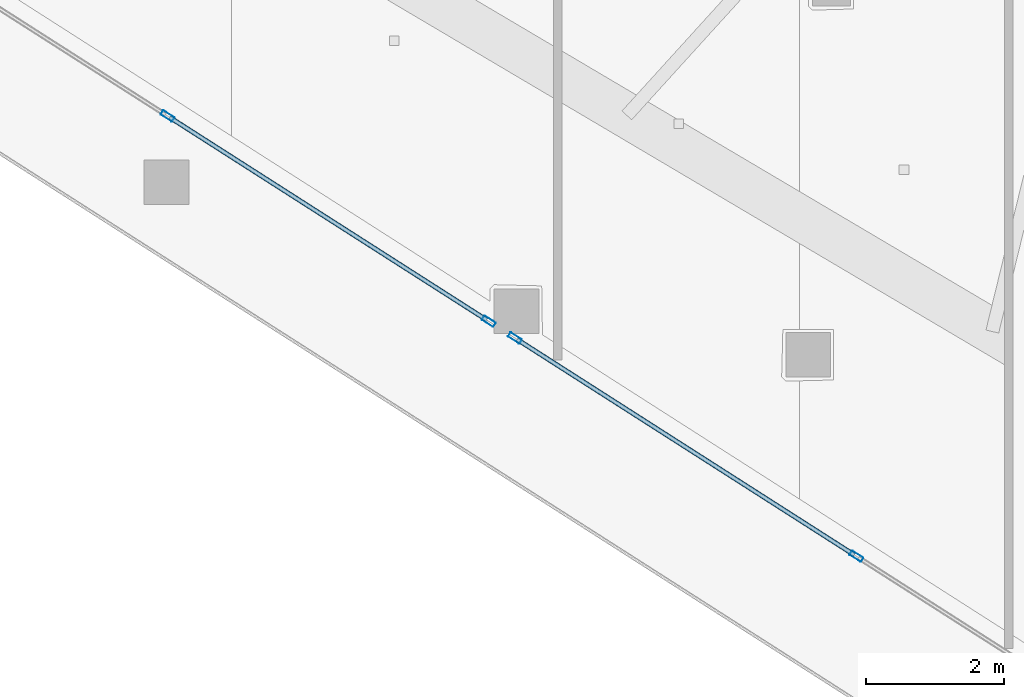
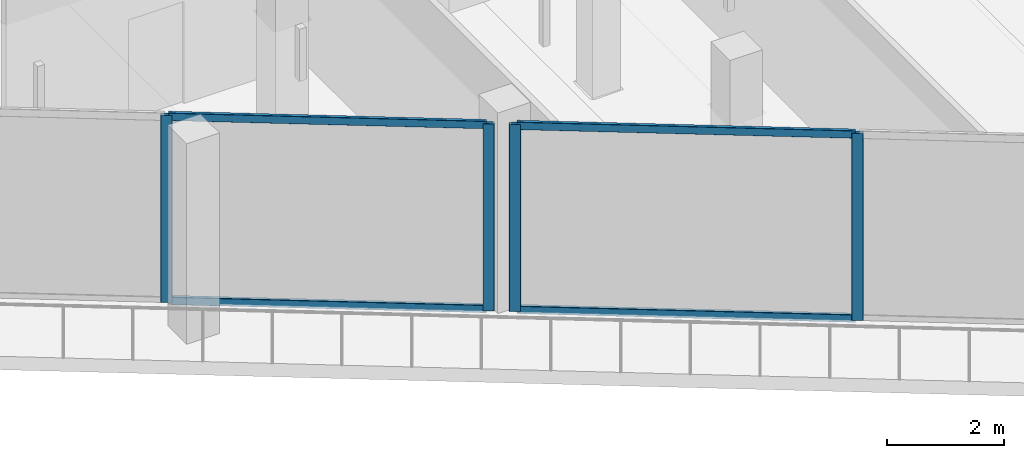
# One storey, part 2 of 47: 8 members, 2 elements without a shape of their own.
"""IFC4 building model written with IfcOpenShell, lengths in metres."""

import ifcopenshell
import ifcopenshell.guid

model = None  # the IFC model being written
_history = None  # IfcOwnerHistory: only IFC2X3 demands one
_inside = {}  # id of a spatial element -> (the spatial element, [elements in it])
_under = {}  # id of a project, library or spatial element -> (it, [spatial elements below it])
_declared = {}  # id of a project -> (the project, [libraries it declares])
_typed = {}  # id of a type object -> (the type object, [elements of that type])
_made_of = {}  # id of a material, layer set ... -> (it, [elements and type objects made of it])


def new_model(schema):
    """Start an empty IFC model of exactly this schema.

    Asked for "IFC4X3", IfcOpenShell would pick the latest addendum, in which some entities
    have other attributes; the version numbers below select the first issue.
    IFC2X3 requires an IfcOwnerHistory on every rooted entity: one is made here for all.
    """
    global model, _history
    if schema == "IFC4X3":
        model = ifcopenshell.file(schema_version=(4, 3, 0, 0))
    else:
        model = ifcopenshell.file(schema=schema)
    _inside.clear()
    _under.clear()
    _declared.clear()
    _typed.clear()
    _made_of.clear()
    _history = None
    if model.schema == "IFC2X3":
        org = make("IfcOrganization", Name="unknown")
        user = make(
            "IfcPersonAndOrganization",
            ThePerson=make("IfcPerson", FamilyName="unknown"),
            TheOrganization=org,
        )
        app = make(
            "IfcApplication",
            ApplicationDeveloper=org,
            Version="unknown",
            ApplicationFullName="unknown",
            ApplicationIdentifier="unknown",
        )
        _history = make(
            "IfcOwnerHistory",
            OwningUser=user,
            OwningApplication=app,
            ChangeAction="ADDED",
            CreationDate=0,
        )
    return model


def make(cls, **values):
    """One entity of the class cls with the attributes given. An attribute that is None is left unset."""
    return model.create_entity(
        cls, **{name: value for name, value in values.items() if value is not None}
    )


def rooted(cls, **values):
    """An entity with a GlobalId (a new one), such as an element, a storey or a relation."""
    return make(cls, GlobalId=ifcopenshell.guid.new(), OwnerHistory=_history, **values)


def si_unit(unit_type, name, prefix=None):
    """IfcSIUnit, for example si_unit("LENGTHUNIT", "METRE", prefix="MILLI")."""
    return make("IfcSIUnit", UnitType=unit_type, Prefix=prefix, Name=name)


def assignment(units):
    """IfcUnitAssignment: the units of a project."""
    return None if units is None else make("IfcUnitAssignment", Units=units)


def point(xyz):
    """IfcCartesianPoint."""
    return None if xyz is None else make("IfcCartesianPoint", Coordinates=xyz)


def direction(xyz):
    """IfcDirection."""
    return None if xyz is None else make("IfcDirection", DirectionRatios=xyz)


def frame(location, z_axis=None, x_axis=None):
    """IfcAxis2Placement3D, a coordinate frame: its origin and axes. An axis left out is left unset."""
    return make(
        "IfcAxis2Placement3D",
        Location=point(location),
        Axis=direction(z_axis),
        RefDirection=direction(x_axis),
    )


def frame_2d(location, x_axis=None):
    """IfcAxis2Placement2D, a coordinate frame in the plane: its origin and x axis."""
    return make(
        "IfcAxis2Placement2D", Location=point(location), RefDirection=direction(x_axis)
    )


def origin():
    """The frame at (0, 0, 0) with its axes left unset."""
    return frame((0.0, 0.0, 0.0))


def origin_2d():
    """The frame at (0, 0) in the plane with its x axis left unset."""
    return frame_2d((0.0, 0.0))


def place(relative_to, where):
    """IfcLocalPlacement: puts the frame where relative to a parent placement (None: the world)."""
    return make(
        "IfcLocalPlacement", PlacementRelTo=relative_to, RelativePlacement=where
    )


def context(
    kind, dimensions, precision=None, world=None, true_north=None, identifier=None
):
    """IfcGeometricRepresentationContext, for example the 3D "Model" context."""
    return make(
        "IfcGeometricRepresentationContext",
        ContextIdentifier=identifier,
        ContextType=kind,
        CoordinateSpaceDimension=dimensions,
        Precision=precision,
        WorldCoordinateSystem=world,
        TrueNorth=true_north,
    )


def subcontext(parent, identifier, kind, view, scale=None):
    """IfcGeometricRepresentationSubContext, for example "Body" below "Model"."""
    return make(
        "IfcGeometricRepresentationSubContext",
        ContextIdentifier=identifier,
        ContextType=kind,
        ParentContext=parent,
        TargetScale=scale,
        TargetView=view,
    )


def project(units=None, contexts=None):
    """IfcProject with its units and contexts."""
    return rooted(
        "IfcProject",
        Name="project",
        RepresentationContexts=contexts,
        UnitsInContext=assignment(units),
    )


def spatial(cls, under=None, at=None, **own):
    """A site, building, storey or space (cls), placed at a placement, below another one or the project."""
    s = rooted(cls, ObjectPlacement=at, **own)
    if under is not None:
        _under.setdefault(under.id(), (under, []))[1].append(s)
    return s


def profile(cls, at=None, kind="AREA", **sizes):
    """A parametric profile (cls). Its sizes go by their IFC names, for example OverallWidth=200.0."""
    return make(cls, ProfileType=kind, Position=at, **sizes)


def hollow_rectangle(**sizes):
    """IfcRectangleHollowProfileDef."""
    return profile("IfcRectangleHollowProfileDef", **sizes)


def extrude(swept, where, along, depth):
    """IfcExtrudedAreaSolid: the profile swept, set in the frame where, extruded along a direction by depth."""
    return make(
        "IfcExtrudedAreaSolid",
        SweptArea=swept,
        Position=where,
        ExtrudedDirection=direction(along),
        Depth=depth,
    )


def shape(context_of_items, identifier, shape_type, items):
    """IfcShapeRepresentation: the items that make up one representation, for example the "Body"."""
    return make(
        "IfcShapeRepresentation",
        ContextOfItems=context_of_items,
        RepresentationIdentifier=identifier,
        RepresentationType=shape_type,
        Items=items,
    )


def material(Name=None, Category=None):
    """IfcMaterial."""
    return make("IfcMaterial", Name=Name, Category=Category)


def layer(
    of_material, thickness, ventilated=None, Name=None, Category=None, Priority=None
):
    """IfcMaterialLayer: one layer of a wall or slab, of a material (None: an air gap)."""
    return make(
        "IfcMaterialLayer",
        Material=of_material,
        LayerThickness=thickness,
        IsVentilated=ventilated,
        Name=Name,
        Category=Category,
        Priority=Priority,
    )


def layer_set(layers, Name=None):
    """IfcMaterialLayerSet."""
    return make("IfcMaterialLayerSet", MaterialLayers=layers, LayerSetName=Name)


def material_profile(
    of_material, cross_section, Name=None, Category=None, Priority=None
):
    """IfcMaterialProfile: a cross section and its material."""
    return make(
        "IfcMaterialProfile",
        Name=Name,
        Material=of_material,
        Profile=cross_section,
        Priority=Priority,
        Category=Category,
    )


def profile_set(profiles, Name=None, composite=None):
    """IfcMaterialProfileSet."""
    return make(
        "IfcMaterialProfileSet",
        Name=Name,
        MaterialProfiles=profiles,
        CompositeProfile=composite,
    )


def made_of(thing, what):
    """Note that an element or type object is made of a material, layer set ...; save() writes the relation."""
    if what is not None:
        _made_of.setdefault(what.id(), (what, []))[1].append(thing)
    return thing


def type_object(cls, material=None, **own):
    """A type object (cls), such as IfcWallType, which elements share."""
    return made_of(rooted(cls, **own), material)


def element(
    cls,
    number,
    at=None,
    inside=None,
    cuts=None,
    type_object=None,
    material=None,
    context=None,
    identifier="Body",
    shape_type=None,
    held_by="IfcProductDefinitionShape",
    body=None,
    shapes=None,
    **own,
):
    """One element of the class cls, such as IfcWall. Its Tag is "e" and its number.

    at: its placement. inside: the storey or other place that contains it. cuts: it is an
    opening in that element (IfcRelVoidsElement). A single representation is given by context,
    identifier, shape_type and body (its items); several are given by shapes. held_by: the class
    of the entity that holds the representations. save() writes the other relations.
    """
    e = rooted(cls, Tag="e%d" % number, ObjectPlacement=at, **own)
    if body is not None:
        shapes = [shape(context, identifier, shape_type, body)]
    if shapes is not None:
        e.Representation = make(held_by, Representations=shapes)
    if inside is not None:
        _inside.setdefault(inside.id(), (inside, []))[1].append(e)
    if cuts is not None:
        rooted(
            "IfcRelVoidsElement", RelatingBuildingElement=cuts, RelatedOpeningElement=e
        )
    if type_object is not None:
        _typed.setdefault(type_object.id(), (type_object, []))[1].append(e)
    return made_of(e, material)


def aggregate(whole, parts):
    """IfcRelAggregates: a whole, such as a stair, and the parts it consists of."""
    return rooted("IfcRelAggregates", RelatingObject=whole, RelatedObjects=parts)


def save(model, path):
    """Write the relations noted so far, then the file.

    IfcRelAggregates (storeys below a building ...), IfcRelContainedInSpatialStructure (elements
    in a storey), IfcRelDefinesByType, IfcRelAssociatesMaterial and IfcRelDeclares: one each for
    every whole, place, type object, material and project.
    """
    for whole, parts in _under.values():
        aggregate(whole, parts)
    for where, things in _inside.values():
        rooted(
            "IfcRelContainedInSpatialStructure",
            RelatedElements=things,
            RelatingStructure=where,
        )
    for kind, things in _typed.values():
        rooted("IfcRelDefinesByType", RelatedObjects=things, RelatingType=kind)
    for what, things in _made_of.values():
        rooted("IfcRelAssociatesMaterial", RelatedObjects=things, RelatingMaterial=what)
    for by, libraries in _declared.values():
        rooted("IfcRelDeclares", RelatingContext=by, RelatedDefinitions=libraries)
    model.write(path)


model = new_model("IFC4")

# Units and contexts
model_context = context("Model", 3, precision=1e-05, world=origin(), true_north=direction((0.0, 1.0)))
body_context = subcontext(model_context, "Body", "Model", "MODEL_VIEW")
ifc_project = project(units=[si_unit("LENGTHUNIT", "METRE"), si_unit("AREAUNIT", "SQUARE_METRE"), si_unit("VOLUMEUNIT", "CUBIC_METRE"), si_unit("PLANEANGLEUNIT", "RADIAN"), si_unit("MASSUNIT", "GRAM", prefix="KILO")], contexts=[model_context])

# Site, building, storey
site_placement = place(None, origin())
site = spatial("IfcSite", under=ifc_project, at=site_placement, CompositionType="ELEMENT")
building_placement = place(site_placement, origin())
building = spatial("IfcBuilding", under=site, at=building_placement, Name="Qorvath Tower", CompositionType="ELEMENT")
storey_placement = place(building_placement, frame((0.0, 0.0, 82.800048828125)))
storey = spatial("IfcBuildingStorey", under=building, at=storey_placement, Name="L18", CompositionType="ELEMENT", Elevation=82.800048828125)

# Curtain wall, members
ifc_material_1 = material(Name="Anodised aluminium and triple low-E glass", Category="aluminium")
ifc_layer = layer(ifc_material_1, 0.179931640625)
ifc_layer_set = layer_set([ifc_layer], Name="CW-SYS-5")
curtain_wall_type = type_object("IfcCurtainWallType", Name="CW-SYS-5", PredefinedType="NOTDEFINED", material=ifc_layer_set)
curtain_wall_1_placement = place(storey_placement, origin())
curtain_wall_1 = element("IfcCurtainWall", 1, at=curtain_wall_1_placement, inside=storey, type_object=curtain_wall_type, Name="Curtain Wall CW-5 CW-T-L18-6.1", PredefinedType="NOTDEFINED")
ifc_material_2 = material(Name="Anodised aluminium 6063-T6", Category="aluminium")
ifc_material_profile_1 = material_profile(ifc_material_2, hollow_rectangle(XDim=0.074951171875, YDim=0.199951171875, WallThickness=0.00390625, InnerFilletRadius=0.00390625, OuterFilletRadius=0.008056640625, at=origin_2d()), Name="CWM 200x75")
ifc_profile_set_1 = profile_set([ifc_material_profile_1], Name="Anodised aluminium 6063-T6")
member_type_1 = type_object("IfcMemberType", Name="CWM-200", PredefinedType="MULLION", material=ifc_profile_set_1)
member_1_placement = place(storey_placement, frame((-40.316162109375, -15.99560546875, 0.0), z_axis=(0.0, 0.0, 1.0), x_axis=(0.538527563, 0.842607894509, 0.0)))
member_1 = element("IfcMember", 2, at=member_1_placement, type_object=member_type_1, Name="CW-5 mullion 5", PredefinedType="MULLION", context=body_context, shape_type="SweptSolid", body=[
    extrude(hollow_rectangle(XDim=0.074951171875, YDim=0.199951171875, WallThickness=0.00390625, InnerFilletRadius=0.00390625, OuterFilletRadius=0.008056640625, at=origin_2d()), origin(), (0.0, 0.0, 1.0), 3.919921875),
])
member_2_placement = place(storey_placement, frame((-35.653076171875, -18.975830078125, 0.0), z_axis=(0.0, 0.0, 1.0), x_axis=(0.538527563, 0.842607894509, 0.0)))
member_2 = element("IfcMember", 3, at=member_2_placement, type_object=member_type_1, Name="CW-5 mullion 6", PredefinedType="MULLION", context=body_context, shape_type="SweptSolid", body=[
    extrude(hollow_rectangle(XDim=0.074951171875, YDim=0.199951171875, WallThickness=0.00390625, InnerFilletRadius=0.00390625, OuterFilletRadius=0.008056640625, at=origin_2d()), origin(), (0.0, 0.0, 1.0), 3.919921875),
])

curtain_wall_2_placement = place(storey_placement, origin())
curtain_wall_2 = element("IfcCurtainWall", 4, at=curtain_wall_2_placement, inside=storey, type_object=curtain_wall_type, Name="Curtain Wall CW-5 CW-T-L18-6.2", PredefinedType="NOTDEFINED")
member_3_placement = place(storey_placement, frame((-35.2724609375, -19.219482421875, 0.0), z_axis=(0.0, 0.0, 1.0), x_axis=(0.538533449676, 0.842604132188, 0.0)))
member_3 = element("IfcMember", 5, at=member_3_placement, type_object=member_type_1, Name="CW-5 mullion 1", PredefinedType="MULLION", context=body_context, shape_type="SweptSolid", body=[
    extrude(hollow_rectangle(XDim=0.074951171875, YDim=0.199951171875, WallThickness=0.00390625, InnerFilletRadius=0.00390625, OuterFilletRadius=0.008056640625, at=origin_2d()), origin(), (0.0, 0.0, 1.0), 3.919921875),
])
member_4_placement = place(storey_placement, frame((-30.315185546875, -22.3876953125, 0.0), z_axis=(0.0, 0.0, 1.0), x_axis=(0.538533449676, 0.842604132188, 0.0)))
member_4 = element("IfcMember", 6, at=member_4_placement, type_object=member_type_1, Name="CW-5 mullion 2", PredefinedType="MULLION", context=body_context, shape_type="SweptSolid", body=[
    extrude(hollow_rectangle(XDim=0.074951171875, YDim=0.199951171875, WallThickness=0.00390625, InnerFilletRadius=0.00390625, OuterFilletRadius=0.008056640625, at=origin_2d()), origin(), (0.0, 0.0, 1.0), 3.919921875),
])

# Member
ifc_material_3 = material(Name="Anodised aluminium 6063-T6", Category="aluminium")
ifc_material_profile_2 = material_profile(ifc_material_3, hollow_rectangle(XDim=0.06494140625, YDim=0.159912109375, WallThickness=0.00341796875, InnerFilletRadius=0.00341796875, OuterFilletRadius=0.007080078125, at=origin_2d()), Name="CWT 160x65")
ifc_profile_set_2 = profile_set([ifc_material_profile_2], Name="Anodised aluminium 6063-T6")
member_type_2 = type_object("IfcMemberType", Name="CWT-160", PredefinedType="USERDEFINED", material=ifc_profile_set_2)
member_5_placement = place(storey_placement, frame((-40.28466796875, -16.015869140625, 0.032470703125), z_axis=(0.842600995592, -0.538538357248, 0.0), x_axis=(0.538538357248, 0.842600995592, 0.0)))
member_5 = element("IfcMember", 7, at=member_5_placement, type_object=member_type_2, Name="CW-5 transom 5.1", ObjectType="TRANSOM", PredefinedType="USERDEFINED", context=body_context, shape_type="SweptSolid", body=[
    extrude(hollow_rectangle(XDim=0.06494140625, YDim=0.159912109375, WallThickness=0.00341796875, InnerFilletRadius=0.00341796875, OuterFilletRadius=0.007080078125, at=origin_2d()), origin(), (0.0, 0.0, 1.0), 5.459228515625),
])

member_6_placement = place(storey_placement, frame((-40.28466796875, -16.015869140625, 3.887451171875), z_axis=(0.842600995592, -0.538538357248, 0.0), x_axis=(0.538538357248, 0.842600995592, 0.0)))
member_6 = element("IfcMember", 8, at=member_6_placement, type_object=member_type_2, Name="CW-5 transom 5.2", ObjectType="TRANSOM", PredefinedType="USERDEFINED", context=body_context, shape_type="SweptSolid", body=[
    extrude(hollow_rectangle(XDim=0.06494140625, YDim=0.159912109375, WallThickness=0.00341796875, InnerFilletRadius=0.00341796875, OuterFilletRadius=0.007080078125, at=origin_2d()), origin(), (0.0, 0.0, 1.0), 5.459228515625),
])

aggregate(curtain_wall_1, [member_1, member_2, member_5, member_6])

member_7_placement = place(storey_placement, frame((-35.24072265625, -19.239501953125, 0.032470703125), z_axis=(0.842591881978, -0.538552616209, 0.0), x_axis=(0.538552616209, 0.842591881978, 0.0)))
member_7 = element("IfcMember", 9, at=member_7_placement, type_object=member_type_2, Name="CW-5 transom 1.1", ObjectType="TRANSOM", PredefinedType="USERDEFINED", context=body_context, shape_type="SweptSolid", body=[
    extrude(hollow_rectangle(XDim=0.06494140625, YDim=0.159912109375, WallThickness=0.00341796875, InnerFilletRadius=0.00341796875, OuterFilletRadius=0.007080078125, at=origin_2d()), origin(), (0.0, 0.0, 1.0), 5.80810546875),
])

member_8_placement = place(storey_placement, frame((-35.24072265625, -19.239501953125, 3.887451171875), z_axis=(0.842591881978, -0.538552616209, 0.0), x_axis=(0.538552616209, 0.842591881978, 0.0)))
member_8 = element("IfcMember", 10, at=member_8_placement, type_object=member_type_2, Name="CW-5 transom 1.2", ObjectType="TRANSOM", PredefinedType="USERDEFINED", context=body_context, shape_type="SweptSolid", body=[
    extrude(hollow_rectangle(XDim=0.06494140625, YDim=0.159912109375, WallThickness=0.00341796875, InnerFilletRadius=0.00341796875, OuterFilletRadius=0.007080078125, at=origin_2d()), origin(), (0.0, 0.0, 1.0), 5.80810546875),
])

aggregate(curtain_wall_2, [member_3, member_4, member_7, member_8])

save(model, "model.ifc")
